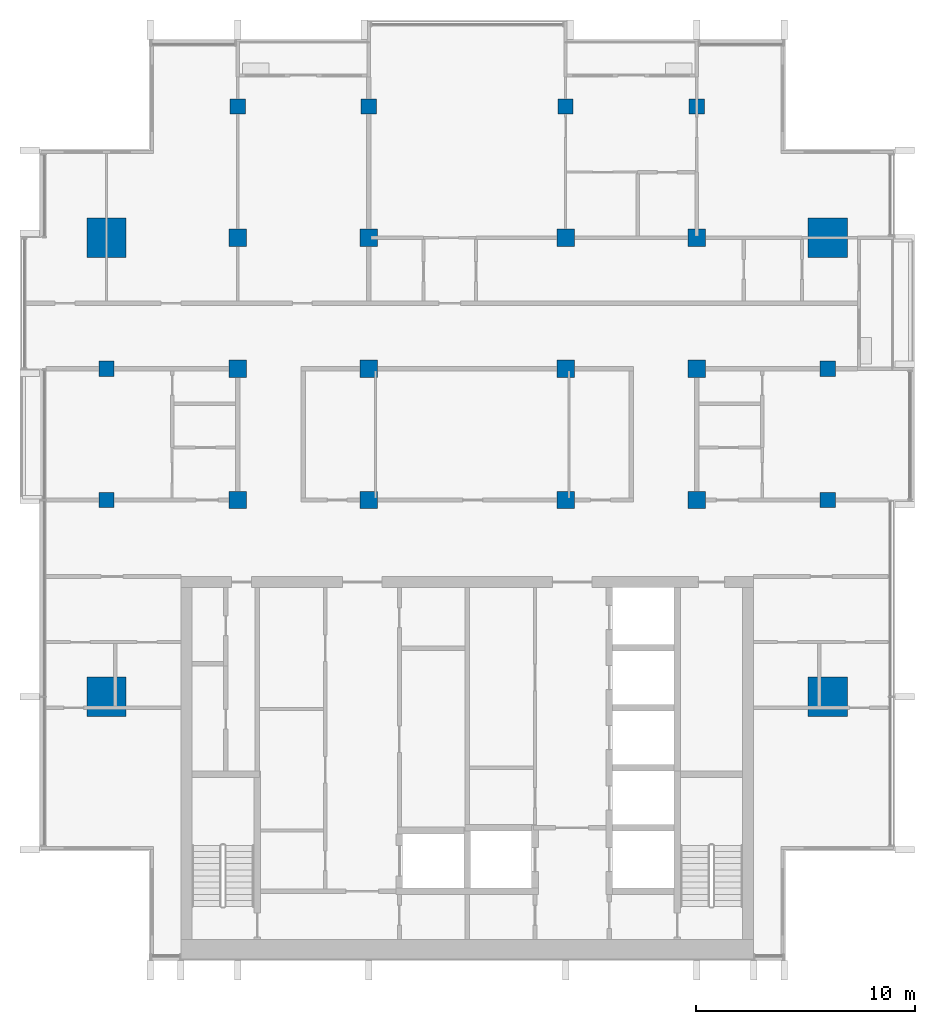
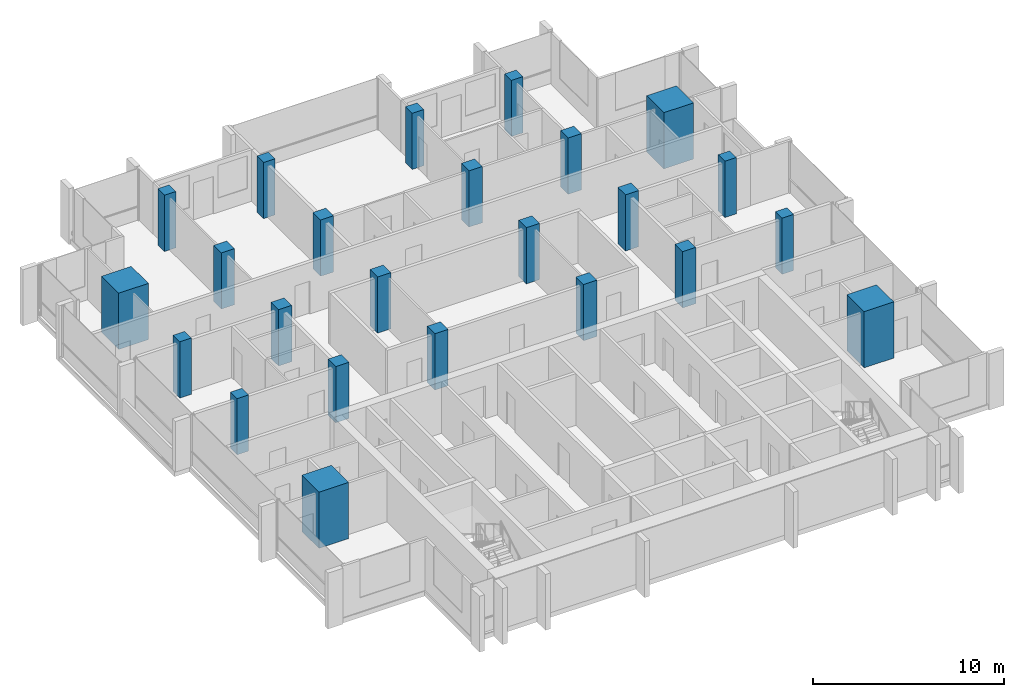
# One storey, part 1 of 16: 24 columns.
"""IFC4 building model written with IfcOpenShell, lengths in metres."""

from ifc_helpers import new_model, si_unit, direction, frame, origin, origin_2d, place, context, subcontext, project, spatial, rectangle, extrude, material, material_profile, profile_set, type_object, element, save


model = new_model("IFC4")

# Units and contexts
model_context = context("Model", 3, precision=1e-05, world=origin(), true_north=direction((0.0, 1.0)))
body_context = subcontext(model_context, "Body", "Model", "MODEL_VIEW")
ifc_project = project(units=[si_unit("LENGTHUNIT", "METRE"), si_unit("AREAUNIT", "SQUARE_METRE"), si_unit("VOLUMEUNIT", "CUBIC_METRE"), si_unit("PLANEANGLEUNIT", "RADIAN"), si_unit("MASSUNIT", "GRAM", prefix="KILO")], contexts=[model_context])

# Site, building, storey
site_placement = place(None, origin())
site = spatial("IfcSite", under=ifc_project, at=site_placement, CompositionType="ELEMENT")
building_placement = place(site_placement, origin())
building = spatial("IfcBuilding", under=site, at=building_placement, Name="Finial Court Residences", CompositionType="ELEMENT")
storey_placement = place(building_placement, frame((0.0, 0.0, 259.10009765625)))
storey = spatial("IfcBuildingStorey", under=building, at=storey_placement, Name="L65", CompositionType="ELEMENT", Elevation=259.10009765625)

# Columns
ifc_material = material(Name="Concrete C50/60", Category="concrete")
ifc_material_profile_1 = material_profile(ifc_material, rectangle(XDim=0.800048828125, YDim=0.800048828125, at=origin_2d()), Name="800x800")
ifc_profile_set_1 = profile_set([ifc_material_profile_1], Name="Concrete C50/60")
column_type_1 = type_object("IfcColumnType", Name="Interior column 800x800 Concrete C50/60", PredefinedType="COLUMN", material=ifc_profile_set_1)
for number, where, z_axis, x_axis, name in (
    (1, (-10.5, -4.5, 0.0), (0.0, 0.0, 1.0), (1.0, 0.0, 0.0), "S:COL:L65:D4"),
    (2, (-10.5, 1.5, 0.0), (0.0, 0.0, 1.0), (1.0, 0.0, 0.0), "S:COL:L65:D5"),
    (3, (-10.5, 7.5, 0.0), (0.0, 0.0, 1.0), (1.0, 0.0, 0.0), "S:COL:L65:D6"),
    (4, (-4.5, -4.5, 0.0), (0.0, 0.0, 1.0), (1.0, 0.0, 0.0), "S:COL:L65:E4"),
    (5, (-4.5, 1.5, 0.0), (0.0, 0.0, 1.0), (1.0, 0.0, 0.0), "S:COL:L65:E5"),
    (6, (-4.5, 7.5, 0.0), (0.0, 0.0, 1.0), (1.0, 0.0, 0.0), "S:COL:L65:E6"),
    (7, (4.5, -4.5, 0.0), (0.0, 0.0, 1.0), (1.0, 0.0, 0.0), "S:COL:L65:F4"),
    (8, (4.5, 1.5, 0.0), (0.0, 0.0, 1.0), (1.0, 0.0, 0.0), "S:COL:L65:F5"),
    (9, (4.5, 7.5, 0.0), (0.0, 0.0, 1.0), (1.0, 0.0, 0.0), "S:COL:L65:F6"),
    (10, (10.5, -4.5, 0.0), (0.0, 0.0, 1.0), (1.0, 0.0, 0.0), "S:COL:L65:G4"),
    (11, (10.5, 1.5, 0.0), (0.0, 0.0, 1.0), (1.0, 0.0, 0.0), "S:COL:L65:G5"),
    (12, (10.5, 7.5, 0.0), (0.0, 0.0, 1.0), (1.0, 0.0, 0.0), "S:COL:L65:G6"),
):
    element("IfcColumn", number, at=place(storey_placement, frame(where, z_axis=z_axis, x_axis=x_axis)), inside=storey, type_object=column_type_1, Name=name, PredefinedType="COLUMN", context=body_context, shape_type="SweptSolid", body=[
        extrude(rectangle(XDim=0.800048828125, YDim=0.800048828125, at=origin_2d()), origin(), (0.0, 0.0, 1.0), 3.599853515625),
    ])
ifc_material_profile_2 = material_profile(ifc_material, rectangle(XDim=1.800048828125, YDim=1.800048828125, at=origin_2d()), Name="1800x1800")
ifc_profile_set_2 = profile_set([ifc_material_profile_2], Name="Concrete C50/60")
column_type_2 = type_object("IfcColumnType", Name="Mega column 1800x1800 Concrete C50/60", PredefinedType="COLUMN", material=ifc_profile_set_2)
for number, where, z_axis, x_axis, name in (
    (13, (-16.5, -13.5, 0.0), (0.0, 0.0, 1.0), (1.0, 0.0, 0.0), "S:COL:L65:C3"),
    (14, (-16.5, 7.5, 0.0), (0.0, 0.0, 1.0), (1.0, 0.0, 0.0), "S:COL:L65:C6"),
    (15, (16.5, -13.5, 0.0), (0.0, 0.0, 1.0), (1.0, 0.0, 0.0), "S:COL:L65:H3"),
    (16, (16.5, 7.5, 0.0), (0.0, 0.0, 1.0), (1.0, 0.0, 0.0), "S:COL:L65:H6"),
):
    element("IfcColumn", number, at=place(storey_placement, frame(where, z_axis=z_axis, x_axis=x_axis)), inside=storey, type_object=column_type_2, Name=name, PredefinedType="COLUMN", context=body_context, shape_type="SweptSolid", body=[
        extrude(rectangle(XDim=1.800048828125, YDim=1.800048828125, at=origin_2d()), origin(), (0.0, 0.0, 1.0), 3.599853515625),
    ])
ifc_material_profile_3 = material_profile(ifc_material, rectangle(XDim=0.699951171875, YDim=0.699951171875, at=origin_2d()), Name="700x700")
ifc_profile_set_3 = profile_set([ifc_material_profile_3], Name="Concrete C50/60")
column_type_3 = type_object("IfcColumnType", Name="Perimeter column 700x700 Concrete C50/60", PredefinedType="COLUMN", material=ifc_profile_set_3)
for number, where, z_axis, x_axis, name in (
    (17, (-16.5, -4.5, 0.0), (0.0, 0.0, 1.0), (1.0, 0.0, 0.0), "S:COL:L65:C4"),
    (18, (-16.5, 1.5, 0.0), (0.0, 0.0, 1.0), (1.0, 0.0, 0.0), "S:COL:L65:C5"),
    (19, (-10.5, 13.5, 0.0), (0.0, 0.0, 1.0), (1.0, 0.0, 0.0), "S:COL:L65:D7"),
    (20, (-4.5, 13.5, 0.0), (0.0, 0.0, 1.0), (1.0, 0.0, 0.0), "S:COL:L65:E7"),
    (21, (4.5, 13.5, 0.0), (0.0, 0.0, 1.0), (1.0, 0.0, 0.0), "S:COL:L65:F7"),
    (22, (10.5, 13.5, 0.0), (0.0, 0.0, 1.0), (1.0, 0.0, 0.0), "S:COL:L65:G7"),
    (23, (16.5, -4.5, 0.0), (0.0, 0.0, 1.0), (1.0, 0.0, 0.0), "S:COL:L65:H4"),
    (24, (16.5, 1.5, 0.0), (0.0, 0.0, 1.0), (1.0, 0.0, 0.0), "S:COL:L65:H5"),
):
    element("IfcColumn", number, at=place(storey_placement, frame(where, z_axis=z_axis, x_axis=x_axis)), inside=storey, type_object=column_type_3, Name=name, PredefinedType="COLUMN", context=body_context, shape_type="SweptSolid", body=[
        extrude(rectangle(XDim=0.699951171875, YDim=0.699951171875, at=origin_2d()), origin(), (0.0, 0.0, 1.0), 3.599853515625),
    ])

save(model, "model.ifc")
